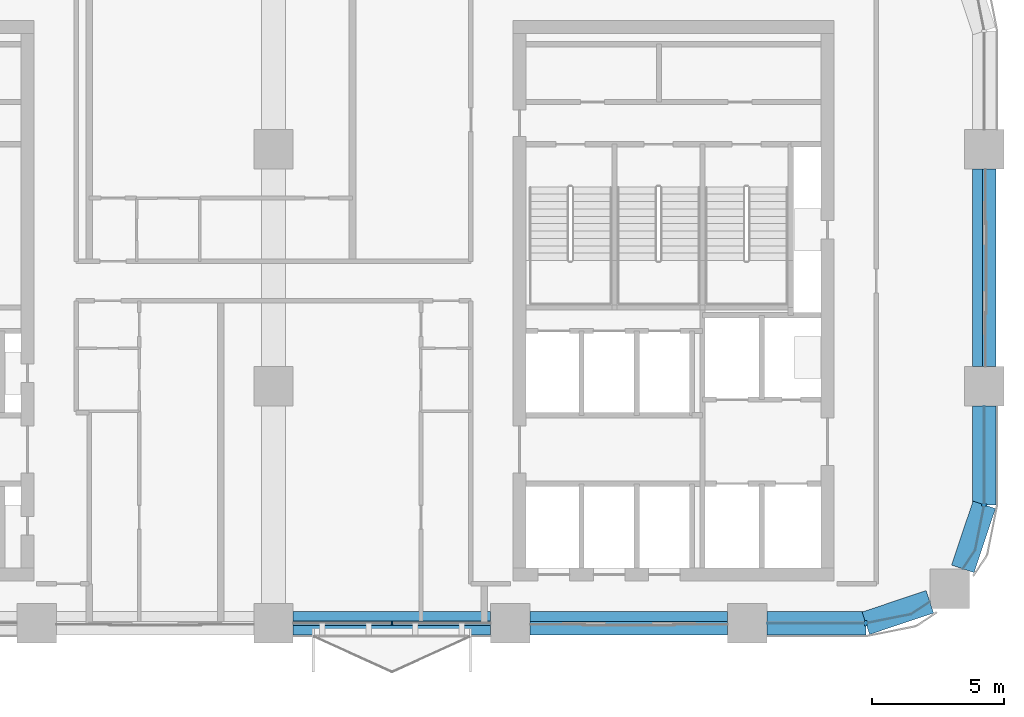
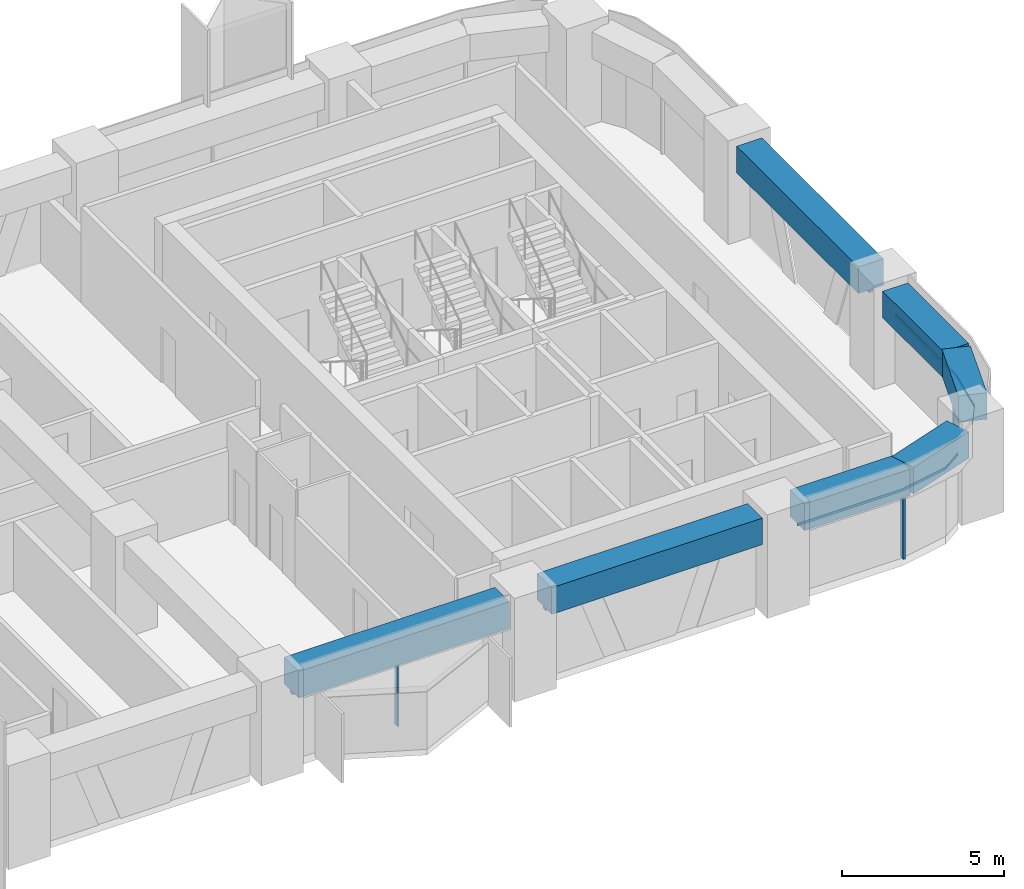
# One storey, part 4 of 14: 8 members, 7 beams, 5 elements without a shape of their own.
"""IFC4 building model written with IfcOpenShell, lengths in metres."""

from ifc_helpers import new_model, si_unit, direction, frame, origin, origin_2d, place, context, subcontext, project, spatial, polyline, rectangle, outline, extrude, material, material_profile, profile_set, type_object, element, aggregate, save


model = new_model("IFC4")

# Units and contexts
model_context = context("Model", 3, precision=1e-05, world=origin(), true_north=direction((0.0, 1.0)))
body_context = subcontext(model_context, "Body", "Model", "MODEL_VIEW")
ifc_project = project(units=[si_unit("LENGTHUNIT", "METRE"), si_unit("AREAUNIT", "SQUARE_METRE"), si_unit("VOLUMEUNIT", "CUBIC_METRE"), si_unit("PLANEANGLEUNIT", "RADIAN"), si_unit("MASSUNIT", "GRAM", prefix="KILO")], contexts=[model_context])

# Site, building, storey
site_placement = place(None, origin())
site = spatial("IfcSite", under=ifc_project, at=site_placement, CompositionType="ELEMENT")
building_placement = place(site_placement, origin())
building = spatial("IfcBuilding", under=site, at=building_placement, Name="Tessera Arch", CompositionType="ELEMENT")
storey_placement = place(building_placement, frame((0.0, 0.0, 142.699951171875)))
storey = spatial("IfcBuildingStorey", under=building, at=storey_placement, Name="L33", CompositionType="ELEMENT", Elevation=142.699951171875)

# Curtain wall, members
ifc_material_1 = material(Name="CW1 curtain wall")
curtain_wall_type_1 = type_object("IfcCurtainWallType", Name="CW1 curtain wall", PredefinedType="NOTDEFINED", material=ifc_material_1)
curtain_wall_1_placement = place(storey_placement, origin())
curtain_wall_1 = element("IfcCurtainWall", 1, at=curtain_wall_1_placement, inside=storey, type_object=curtain_wall_type_1, Name="CW1 curtain wall S27.0/3 L33", PredefinedType="NOTDEFINED")
ifc_material_2 = material(Name="Anodised aluminium pale metal", Category="aluminium")
ifc_material_profile_1 = material_profile(ifc_material_2, rectangle(XDim=0.159912109375, YDim=0.06005859375, at=origin_2d()), Name="AL 60x160")
ifc_profile_set_1 = profile_set([ifc_material_profile_1], Name="Anodised aluminium pale metal")
member_type_1 = type_object("IfcMemberType", Name="CW1 mullion", PredefinedType="MULLION", material=ifc_profile_set_1)
member_1_placement = place(storey_placement, frame((31.5, 27.0, 0.0), z_axis=(0.0, 0.0, 1.0), x_axis=(0.0, 1.0, 0.0)))
member_1 = element("IfcMember", 2, at=member_1_placement, type_object=member_type_1, Name="CW1 mullion S27.0/3 1", PredefinedType="MULLION", context=body_context, shape_type="SweptSolid", body=[
    extrude(rectangle(XDim=0.159912109375, YDim=0.06005859375, at=origin_2d()), origin(), (0.0, 0.0, 1.0), 2.5),
])
ifc_material_3 = material(Name="Anodised aluminium pale metal", Category="aluminium")
ifc_material_profile_2 = material_profile(ifc_material_3, rectangle(XDim=0.159912109375, YDim=0.10009765625, at=origin_2d()), Name="AL 160x100")
ifc_profile_set_2 = profile_set([ifc_material_profile_2], Name="Anodised aluminium pale metal")
member_type_2 = type_object("IfcMemberType", Name="CW1 transom", PredefinedType="USERDEFINED", material=ifc_profile_set_2)
member_2_placement = place(storey_placement, frame((27.75, 27.0, 2.550048828125), z_axis=(1.0, 0.0, 0.0), x_axis=(0.0, 1.0, 0.0)))
member_2 = element("IfcMember", 3, at=member_2_placement, type_object=member_type_2, Name="CW1 transom S27.0/3 1.1", ObjectType="TRANSOM", PredefinedType="USERDEFINED", context=body_context, shape_type="SweptSolid", body=[
    extrude(rectangle(XDim=0.159912109375, YDim=0.10009765625, at=origin_2d()), origin(), (0.0, 0.0, 1.0), 7.5),
])
aggregate(curtain_wall_1, [member_1, member_2])

# Curtain wall, member
ifc_material_4 = material(Name="CW2 curtain wall")
curtain_wall_type_2 = type_object("IfcCurtainWallType", Name="CW2 curtain wall", PredefinedType="NOTDEFINED", material=ifc_material_4)
curtain_wall_2_placement = place(storey_placement, origin())
curtain_wall_2 = element("IfcCurtainWall", 4, at=curtain_wall_2_placement, inside=storey, type_object=curtain_wall_type_2, Name="CW2 curtain wall S27.0/5 L33", PredefinedType="NOTDEFINED")
ifc_material_5 = material(Name="Anodised aluminium pale metal", Category="aluminium")
ifc_material_profile_3 = material_profile(ifc_material_5, rectangle(XDim=0.199951171875, YDim=0.080078125, at=origin_2d()), Name="AL 80x200")
ifc_profile_set_3 = profile_set([ifc_material_profile_3], Name="Anodised aluminium pale metal")
member_type_3 = type_object("IfcMemberType", Name="CW2 mullion", PredefinedType="MULLION", material=ifc_profile_set_3)
member_3_placement = place(storey_placement, frame((49.5, 27.0, 0.0), z_axis=(0.0, 0.0, 1.0), x_axis=(0.0, 1.0, 0.0)))
member_3 = element("IfcMember", 5, at=member_3_placement, type_object=member_type_3, Name="CW2 mullion S27.0/5 1", PredefinedType="MULLION", context=body_context, shape_type="SweptSolid", body=[
    extrude(rectangle(XDim=0.199951171875, YDim=0.080078125, at=origin_2d()), origin(), (0.0, 0.0, 1.0), 2.5),
])

curtain_wall_3_placement = place(storey_placement, origin())
curtain_wall_3 = element("IfcCurtainWall", 6, at=curtain_wall_3_placement, inside=storey, type_object=curtain_wall_type_2, Name="CW2 curtain wall E54.27/2 L33", PredefinedType="NOTDEFINED")
member_4_placement = place(storey_placement, frame((54.0, 31.5, 0.0), z_axis=(0.0, 0.0, 1.0), x_axis=(-1.0, 0.0, 0.0)))
member_4 = element("IfcMember", 7, at=member_4_placement, type_object=member_type_3, Name="CW2 mullion E54.27/2 1", PredefinedType="MULLION", context=body_context, shape_type="SweptSolid", body=[
    extrude(rectangle(XDim=0.199951171875, YDim=0.080078125, at=origin_2d()), origin(), (0.0, 0.0, 1.0), 2.5),
])

# Member
ifc_material_6 = material(Name="Anodised aluminium pale metal", Category="aluminium")
ifc_material_profile_4 = material_profile(ifc_material_6, rectangle(XDim=0.199951171875, YDim=0.10009765625, at=origin_2d()), Name="AL 200x100")
ifc_profile_set_4 = profile_set([ifc_material_profile_4], Name="Anodised aluminium pale metal")
member_type_4 = type_object("IfcMemberType", Name="CW2 transom", PredefinedType="USERDEFINED", material=ifc_profile_set_4)
member_5_placement = place(storey_placement, frame((0.0, 0.0, 2.5)))
member_5 = element("IfcMember", 8, at=member_5_placement, type_object=member_type_4, Name="CW2 transom S27.0/5 1", ObjectType="TRANSOM", PredefinedType="USERDEFINED", context=body_context, shape_type="SweptSolid", body=[
    extrude(outline(polyline([(49.4990234375, 27.010009765625), (45.75, 27.010009765625), (45.75, 26.989990234375), (49.5009765625, 26.989990234375), (51.22607421875, 27.3330078125), (51.9375, 27.80859375), (51.926513671875, 27.8251953125), (51.21826171875, 27.351806640625), (49.4990234375, 27.010009765625)])), origin(), (0.0, 0.0, 1.0), 0.10009765625),
])

aggregate(curtain_wall_2, [member_3, member_5])

member_6_placement = place(storey_placement, frame((0.0, 0.0, 2.5)))
member_6 = element("IfcMember", 9, at=member_6_placement, type_object=member_type_4, Name="CW2 transom E54.27/2 1", ObjectType="TRANSOM", PredefinedType="USERDEFINED", context=body_context, shape_type="SweptSolid", body=[
    extrude(outline(polyline([(53.648193359375, 29.78173828125), (53.1748046875, 29.073486328125), (53.19140625, 29.0625), (53.6669921875, 29.77392578125), (54.010009765625, 31.4990234375), (54.010009765625, 35.25), (53.989990234375, 35.25), (53.989990234375, 31.5009765625), (53.648193359375, 29.78173828125)])), origin(), (0.0, 0.0, 1.0), 0.10009765625),
])

aggregate(curtain_wall_3, [member_4, member_6])

# Curtain wall, member
ifc_material_7 = material(Name="CW3 curtain wall")
curtain_wall_type_3 = type_object("IfcCurtainWallType", Name="CW3 curtain wall", PredefinedType="NOTDEFINED", material=ifc_material_7)
curtain_wall_4_placement = place(storey_placement, origin())
curtain_wall_4 = element("IfcCurtainWall", 10, at=curtain_wall_4_placement, inside=storey, type_object=curtain_wall_type_3, Name="CW3 curtain wall E54.27/0 L33", PredefinedType="NOTDEFINED")
ifc_material_8 = material(Name="Anodised aluminium pale metal", Category="aluminium")
ifc_material_profile_5 = material_profile(ifc_material_8, rectangle(XDim=0.139892578125, YDim=0.10009765625, at=origin_2d()), Name="AL 140x100")
ifc_profile_set_5 = profile_set([ifc_material_profile_5], Name="Anodised aluminium pale metal")
member_type_5 = type_object("IfcMemberType", Name="CW3 transom", PredefinedType="USERDEFINED", material=ifc_profile_set_5)
member_7_placement = place(storey_placement, frame((54.0, 36.75, 2.550048828125), z_axis=(0.0, 1.0, 0.0), x_axis=(-1.0, 0.0, 0.0)))
member_7 = element("IfcMember", 11, at=member_7_placement, type_object=member_type_5, Name="CW3 transom E54.27/0 1.1", ObjectType="TRANSOM", PredefinedType="USERDEFINED", context=body_context, shape_type="SweptSolid", body=[
    extrude(rectangle(XDim=0.139892578125, YDim=0.10009765625, at=origin_2d()), origin(), (0.0, 0.0, 1.0), 7.5),
])
aggregate(curtain_wall_4, [member_7])

curtain_wall_5_placement = place(storey_placement, origin())
curtain_wall_5 = element("IfcCurtainWall", 12, at=curtain_wall_5_placement, inside=storey, type_object=curtain_wall_type_3, Name="CW3 curtain wall S27.0/4 L33", PredefinedType="NOTDEFINED")
member_8_placement = place(storey_placement, frame((36.75, 27.0, 2.550048828125), z_axis=(1.0, 0.0, 0.0), x_axis=(0.0, 1.0, 0.0)))
member_8 = element("IfcMember", 13, at=member_8_placement, type_object=member_type_5, Name="CW3 transom S27.0/4 1.1", ObjectType="TRANSOM", PredefinedType="USERDEFINED", context=body_context, shape_type="SweptSolid", body=[
    extrude(rectangle(XDim=0.139892578125, YDim=0.10009765625, at=origin_2d()), origin(), (0.0, 0.0, 1.0), 7.5),
])
aggregate(curtain_wall_5, [member_8])

# Beams
ifc_material_9 = material(Name="Concrete C70/85", Category="concrete")
ifc_material_profile_6 = material_profile(ifc_material_9, rectangle(XDim=0.89990234375, YDim=1.0, at=origin_2d()), Name="RC spandrel beam 900 x 1000 Concrete C70/85")
ifc_profile_set_6 = profile_set([ifc_material_profile_6], Name="Concrete C70/85")
beam_type = type_object("IfcBeamType", Name="RC spandrel beam 900 x 1000 Concrete C70/85", PredefinedType="BEAM", material=ifc_profile_set_6)
for number, where, z_axis, x_axis, name in (
    (14, (54.0, 36.75, 3.10009765625), (0.0, 1.0, 0.0), (-1.0, 0.0, 0.0), "Spandrel beam L33 E54.27/0"),
    (15, (27.75, 27.0, 3.10009765625), (1.0, 0.0, 0.0), (0.0, 1.0, 0.0), "Spandrel beam L33 S27.0/3"),
    (16, (36.75, 27.0, 3.10009765625), (1.0, 0.0, 0.0), (0.0, 1.0, 0.0), "Spandrel beam L33 S27.0/4"),
):
    element("IfcBeam", number, at=place(storey_placement, frame(where, z_axis=z_axis, x_axis=x_axis)), inside=storey, type_object=beam_type, Name=name, PredefinedType="BEAM", context=body_context, shape_type="SweptSolid", body=[
        extrude(rectangle(XDim=0.89990234375, YDim=1.0, at=origin_2d()), origin(), (0.0, 0.0, 1.0), 7.5),
    ])
beam_1_placement = place(storey_placement, frame((45.75, 27.0, 3.10009765625), z_axis=(1.0, 0.0, 0.0), x_axis=(0.0, 1.0, 0.0)))
element("IfcBeam", 17, at=beam_1_placement, inside=storey, type_object=beam_type, Name="Spandrel beam L33 S27.0/5.1", PredefinedType="BEAM", context=body_context, shape_type="SweptSolid", body=[
    extrude(rectangle(XDim=0.89990234375, YDim=1.0, at=origin_2d()), origin(), (0.0, 0.0, 1.0), 3.75),
])
for number, where, z_axis, x_axis, name in (
    (18, (49.5, 27.0, 3.10009765625), (0.947947973234, 0.31842525032, 0.0), (-0.31842525032, 0.947947973234, 0.0), "Spandrel beam L33 S27.0/5.2"),
    (19, (53.18310546875, 29.068115234375, 3.10009765625), (0.31842525032, 0.947947973234, 0.0), (-0.947947973234, 0.31842525032, 0.0), "Spandrel beam L33 E54.27/2.1"),
):
    element("IfcBeam", number, at=place(storey_placement, frame(where, z_axis=z_axis, x_axis=x_axis)), inside=storey, type_object=beam_type, Name=name, PredefinedType="BEAM", context=body_context, shape_type="SweptSolid", body=[
        extrude(rectangle(XDim=0.89990234375, YDim=1.0, at=origin_2d()), origin(), (0.0, 0.0, 1.0), 2.5654296875),
    ])
beam_2_placement = place(storey_placement, frame((54.0, 31.5, 3.10009765625), z_axis=(0.0, 1.0, 0.0), x_axis=(-1.0, 0.0, 0.0)))
element("IfcBeam", 20, at=beam_2_placement, inside=storey, type_object=beam_type, Name="Spandrel beam L33 E54.27/2.2", PredefinedType="BEAM", context=body_context, shape_type="SweptSolid", body=[
    extrude(rectangle(XDim=0.89990234375, YDim=1.0, at=origin_2d()), origin(), (0.0, 0.0, 1.0), 3.75),
])

save(model, "model.ifc")
